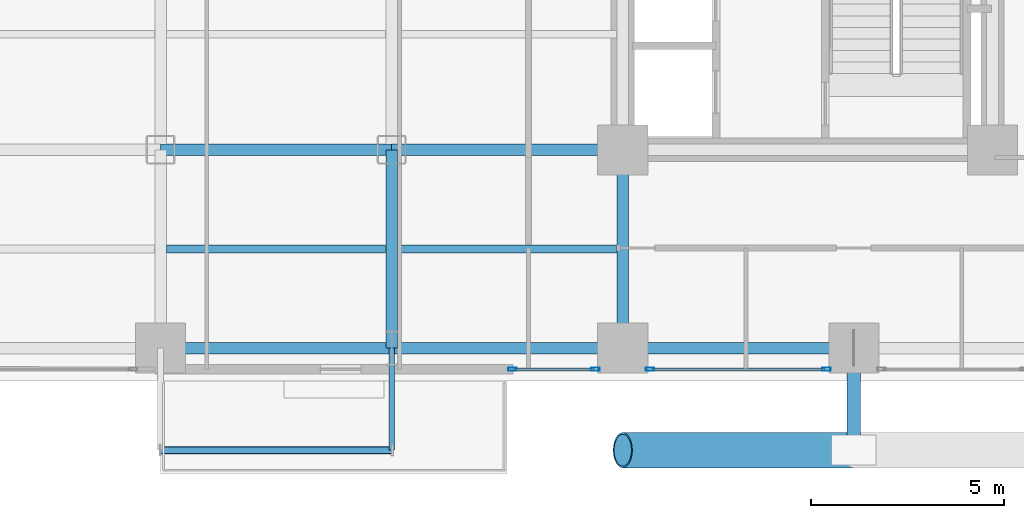
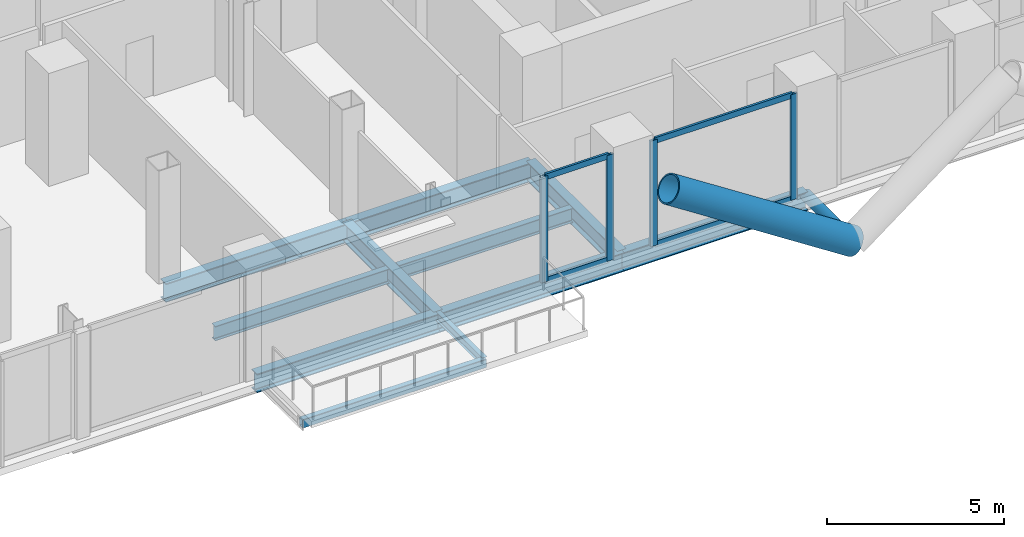
# One storey, part 3 of 25: 11 beams, 10 members, 2 elements without a shape of their own.
"""IFC4 building model written with IfcOpenShell, lengths in metres."""

import ifcopenshell
import ifcopenshell.guid

model = None  # the IFC model being written
_history = None  # IfcOwnerHistory: only IFC2X3 demands one
_inside = {}  # id of a spatial element -> (the spatial element, [elements in it])
_under = {}  # id of a project, library or spatial element -> (it, [spatial elements below it])
_declared = {}  # id of a project -> (the project, [libraries it declares])
_typed = {}  # id of a type object -> (the type object, [elements of that type])
_made_of = {}  # id of a material, layer set ... -> (it, [elements and type objects made of it])


def new_model(schema):
    """Start an empty IFC model of exactly this schema.

    Asked for "IFC4X3", IfcOpenShell would pick the latest addendum, in which some entities
    have other attributes; the version numbers below select the first issue.
    IFC2X3 requires an IfcOwnerHistory on every rooted entity: one is made here for all.
    """
    global model, _history
    if schema == "IFC4X3":
        model = ifcopenshell.file(schema_version=(4, 3, 0, 0))
    else:
        model = ifcopenshell.file(schema=schema)
    _inside.clear()
    _under.clear()
    _declared.clear()
    _typed.clear()
    _made_of.clear()
    _history = None
    if model.schema == "IFC2X3":
        org = make("IfcOrganization", Name="unknown")
        user = make(
            "IfcPersonAndOrganization",
            ThePerson=make("IfcPerson", FamilyName="unknown"),
            TheOrganization=org,
        )
        app = make(
            "IfcApplication",
            ApplicationDeveloper=org,
            Version="unknown",
            ApplicationFullName="unknown",
            ApplicationIdentifier="unknown",
        )
        _history = make(
            "IfcOwnerHistory",
            OwningUser=user,
            OwningApplication=app,
            ChangeAction="ADDED",
            CreationDate=0,
        )
    return model


def make(cls, **values):
    """One entity of the class cls with the attributes given. An attribute that is None is left unset."""
    return model.create_entity(
        cls, **{name: value for name, value in values.items() if value is not None}
    )


def rooted(cls, **values):
    """An entity with a GlobalId (a new one), such as an element, a storey or a relation."""
    return make(cls, GlobalId=ifcopenshell.guid.new(), OwnerHistory=_history, **values)


def si_unit(unit_type, name, prefix=None):
    """IfcSIUnit, for example si_unit("LENGTHUNIT", "METRE", prefix="MILLI")."""
    return make("IfcSIUnit", UnitType=unit_type, Prefix=prefix, Name=name)


def assignment(units):
    """IfcUnitAssignment: the units of a project."""
    return None if units is None else make("IfcUnitAssignment", Units=units)


def point(xyz):
    """IfcCartesianPoint."""
    return None if xyz is None else make("IfcCartesianPoint", Coordinates=xyz)


def direction(xyz):
    """IfcDirection."""
    return None if xyz is None else make("IfcDirection", DirectionRatios=xyz)


def frame(location, z_axis=None, x_axis=None):
    """IfcAxis2Placement3D, a coordinate frame: its origin and axes. An axis left out is left unset."""
    return make(
        "IfcAxis2Placement3D",
        Location=point(location),
        Axis=direction(z_axis),
        RefDirection=direction(x_axis),
    )


def frame_2d(location, x_axis=None):
    """IfcAxis2Placement2D, a coordinate frame in the plane: its origin and x axis."""
    return make(
        "IfcAxis2Placement2D", Location=point(location), RefDirection=direction(x_axis)
    )


def origin():
    """The frame at (0, 0, 0) with its axes left unset."""
    return frame((0.0, 0.0, 0.0))


def origin_2d():
    """The frame at (0, 0) in the plane with its x axis left unset."""
    return frame_2d((0.0, 0.0))


def place(relative_to, where):
    """IfcLocalPlacement: puts the frame where relative to a parent placement (None: the world)."""
    return make(
        "IfcLocalPlacement", PlacementRelTo=relative_to, RelativePlacement=where
    )


def context(
    kind, dimensions, precision=None, world=None, true_north=None, identifier=None
):
    """IfcGeometricRepresentationContext, for example the 3D "Model" context."""
    return make(
        "IfcGeometricRepresentationContext",
        ContextIdentifier=identifier,
        ContextType=kind,
        CoordinateSpaceDimension=dimensions,
        Precision=precision,
        WorldCoordinateSystem=world,
        TrueNorth=true_north,
    )


def subcontext(parent, identifier, kind, view, scale=None):
    """IfcGeometricRepresentationSubContext, for example "Body" below "Model"."""
    return make(
        "IfcGeometricRepresentationSubContext",
        ContextIdentifier=identifier,
        ContextType=kind,
        ParentContext=parent,
        TargetScale=scale,
        TargetView=view,
    )


def project(units=None, contexts=None):
    """IfcProject with its units and contexts."""
    return rooted(
        "IfcProject",
        Name="project",
        RepresentationContexts=contexts,
        UnitsInContext=assignment(units),
    )


def spatial(cls, under=None, at=None, **own):
    """A site, building, storey or space (cls), placed at a placement, below another one or the project."""
    s = rooted(cls, ObjectPlacement=at, **own)
    if under is not None:
        _under.setdefault(under.id(), (under, []))[1].append(s)
    return s


def profile(cls, at=None, kind="AREA", **sizes):
    """A parametric profile (cls). Its sizes go by their IFC names, for example OverallWidth=200.0."""
    return make(cls, ProfileType=kind, Position=at, **sizes)


def hollow_rectangle(**sizes):
    """IfcRectangleHollowProfileDef."""
    return profile("IfcRectangleHollowProfileDef", **sizes)


def hollow_circle(**sizes):
    """IfcCircleHollowProfileDef."""
    return profile("IfcCircleHollowProfileDef", **sizes)


def i_section(**sizes):
    """IfcIShapeProfileDef."""
    return profile("IfcIShapeProfileDef", **sizes)


def extrude(swept, where, along, depth):
    """IfcExtrudedAreaSolid: the profile swept, set in the frame where, extruded along a direction by depth."""
    return make(
        "IfcExtrudedAreaSolid",
        SweptArea=swept,
        Position=where,
        ExtrudedDirection=direction(along),
        Depth=depth,
    )


def shape(context_of_items, identifier, shape_type, items):
    """IfcShapeRepresentation: the items that make up one representation, for example the "Body"."""
    return make(
        "IfcShapeRepresentation",
        ContextOfItems=context_of_items,
        RepresentationIdentifier=identifier,
        RepresentationType=shape_type,
        Items=items,
    )


def material(Name=None, Category=None):
    """IfcMaterial."""
    return make("IfcMaterial", Name=Name, Category=Category)


def layer(
    of_material, thickness, ventilated=None, Name=None, Category=None, Priority=None
):
    """IfcMaterialLayer: one layer of a wall or slab, of a material (None: an air gap)."""
    return make(
        "IfcMaterialLayer",
        Material=of_material,
        LayerThickness=thickness,
        IsVentilated=ventilated,
        Name=Name,
        Category=Category,
        Priority=Priority,
    )


def layer_set(layers, Name=None):
    """IfcMaterialLayerSet."""
    return make("IfcMaterialLayerSet", MaterialLayers=layers, LayerSetName=Name)


def material_profile(
    of_material, cross_section, Name=None, Category=None, Priority=None
):
    """IfcMaterialProfile: a cross section and its material."""
    return make(
        "IfcMaterialProfile",
        Name=Name,
        Material=of_material,
        Profile=cross_section,
        Priority=Priority,
        Category=Category,
    )


def profile_set(profiles, Name=None, composite=None):
    """IfcMaterialProfileSet."""
    return make(
        "IfcMaterialProfileSet",
        Name=Name,
        MaterialProfiles=profiles,
        CompositeProfile=composite,
    )


def made_of(thing, what):
    """Note that an element or type object is made of a material, layer set ...; save() writes the relation."""
    if what is not None:
        _made_of.setdefault(what.id(), (what, []))[1].append(thing)
    return thing


def type_object(cls, material=None, **own):
    """A type object (cls), such as IfcWallType, which elements share."""
    return made_of(rooted(cls, **own), material)


def element(
    cls,
    number,
    at=None,
    inside=None,
    cuts=None,
    type_object=None,
    material=None,
    context=None,
    identifier="Body",
    shape_type=None,
    held_by="IfcProductDefinitionShape",
    body=None,
    shapes=None,
    **own,
):
    """One element of the class cls, such as IfcWall. Its Tag is "e" and its number.

    at: its placement. inside: the storey or other place that contains it. cuts: it is an
    opening in that element (IfcRelVoidsElement). A single representation is given by context,
    identifier, shape_type and body (its items); several are given by shapes. held_by: the class
    of the entity that holds the representations. save() writes the other relations.
    """
    e = rooted(cls, Tag="e%d" % number, ObjectPlacement=at, **own)
    if body is not None:
        shapes = [shape(context, identifier, shape_type, body)]
    if shapes is not None:
        e.Representation = make(held_by, Representations=shapes)
    if inside is not None:
        _inside.setdefault(inside.id(), (inside, []))[1].append(e)
    if cuts is not None:
        rooted(
            "IfcRelVoidsElement", RelatingBuildingElement=cuts, RelatedOpeningElement=e
        )
    if type_object is not None:
        _typed.setdefault(type_object.id(), (type_object, []))[1].append(e)
    return made_of(e, material)


def aggregate(whole, parts):
    """IfcRelAggregates: a whole, such as a stair, and the parts it consists of."""
    return rooted("IfcRelAggregates", RelatingObject=whole, RelatedObjects=parts)


def save(model, path):
    """Write the relations noted so far, then the file.

    IfcRelAggregates (storeys below a building ...), IfcRelContainedInSpatialStructure (elements
    in a storey), IfcRelDefinesByType, IfcRelAssociatesMaterial and IfcRelDeclares: one each for
    every whole, place, type object, material and project.
    """
    for whole, parts in _under.values():
        aggregate(whole, parts)
    for where, things in _inside.values():
        rooted(
            "IfcRelContainedInSpatialStructure",
            RelatedElements=things,
            RelatingStructure=where,
        )
    for kind, things in _typed.values():
        rooted("IfcRelDefinesByType", RelatedObjects=things, RelatingType=kind)
    for what, things in _made_of.values():
        rooted("IfcRelAssociatesMaterial", RelatedObjects=things, RelatingMaterial=what)
    for by, libraries in _declared.values():
        rooted("IfcRelDeclares", RelatingContext=by, RelatedDefinitions=libraries)
    model.write(path)


model = new_model("IFC4")

# Units and contexts
model_context = context("Model", 3, precision=1e-05, world=origin(), true_north=direction((0.0, 1.0)))
body_context = subcontext(model_context, "Body", "Model", "MODEL_VIEW")
ifc_project = project(units=[si_unit("LENGTHUNIT", "METRE"), si_unit("AREAUNIT", "SQUARE_METRE"), si_unit("VOLUMEUNIT", "CUBIC_METRE"), si_unit("PLANEANGLEUNIT", "RADIAN"), si_unit("MASSUNIT", "GRAM", prefix="KILO"), si_unit("THERMODYNAMICTEMPERATUREUNIT", "KELVIN"), si_unit("POWERUNIT", "WATT")], contexts=[model_context])

# Site, building, storey
site_placement = place(None, origin())
site = spatial("IfcSite", under=ifc_project, at=site_placement, CompositionType="ELEMENT")
building_placement = place(site_placement, origin())
building = spatial("IfcBuilding", under=site, at=building_placement, Name="Svarakhadi Broadcast Tower", CompositionType="ELEMENT")
storey_placement = place(building_placement, frame((0.0, 0.0, 32.39990234375)))
storey = spatial("IfcBuildingStorey", under=building, at=storey_placement, Name="L06", CompositionType="ELEMENT", Elevation=32.39990234375)

# Beams
ifc_material_1 = material(Name="Steel S355J2 (IS 2062 E350C)", Category="steel")
ifc_material_profile_1 = material_profile(ifc_material_1, i_section(OverallWidth=0.199951171875, OverallDepth=0.5, WebThickness=0.01025390625, FlangeThickness=0.01611328125, FilletRadius=0.02099609375, at=origin_2d()), Name="NPB 500x200x91")
ifc_profile_set_1 = profile_set([ifc_material_profile_1], Name="Steel S355J2 (IS 2062 E350C)")
beam_type_1 = type_object("IfcBeamType", Name="Beam_NPB500", PredefinedType="BEAM", material=ifc_profile_set_1)
for number, where, z_axis, x_axis, name in (
    (1, (12.159912109375, 3.425048828125, -0.5), (1.0, 0.0, 0.0), (0.0, 1.0, 0.0), "L06 Secondary Composite Beam SB013"),
    (2, (18.159912109375, 3.425048828125, -0.5), (1.0, 0.0, 0.0), (0.0, 1.0, 0.0), "L06 Secondary Composite Beam SB019"),
):
    element("IfcBeam", number, at=place(storey_placement, frame(where, z_axis=z_axis, x_axis=x_axis)), inside=storey, type_object=beam_type_1, Name=name, PredefinedType="BEAM", context=body_context, shape_type="SweptSolid", body=[
        extrude(i_section(OverallWidth=0.199951171875, OverallDepth=0.5, WebThickness=0.01025390625, FlangeThickness=0.01611328125, FilletRadius=0.02099609375, at=origin_2d()), origin(), (0.0, 0.0, 1.0), 5.68017578125),
    ])

# Curtain wall, members
ifc_material_2 = material(Name="Anodised Bronze Aluminium AA 6063-T6", Category="aluminium")
ifc_layer = layer(ifc_material_2, 0.219970703125)
ifc_layer_set = layer_set([ifc_layer], Name="Anodised Bronze Aluminium AA 6063-T6")
curtain_wall_type = type_object("IfcCurtainWallType", Name="CW_Sys_02", PredefinedType="NOTDEFINED", material=ifc_layer_set)
curtain_wall_1_placement = place(storey_placement, origin())
curtain_wall_1 = element("IfcCurtainWall", 3, at=curtain_wall_1_placement, inside=storey, type_object=curtain_wall_type, Name="L06 South Curtain Wall 16 Bay 5", PredefinedType="NOTDEFINED")
ifc_material_profile_2 = material_profile(ifc_material_2, hollow_rectangle(XDim=0.0849609375, YDim=0.219970703125, WallThickness=0.006103515625, at=origin_2d()), Name="ALU MULLION 220x85x6")
ifc_profile_set_2 = profile_set([ifc_material_profile_2], Name="Anodised Bronze Aluminium AA 6063-T6")
member_type_1 = type_object("IfcMemberType", Name="CW_Sys_02_Mul", PredefinedType="MULLION", material=ifc_profile_set_2)
member_1_placement = place(storey_placement, frame((29.28759765625, 0.300048828125, 0.0), z_axis=(0.0, 0.0, 1.0), x_axis=(0.0, -1.0, 0.0)))
member_1 = element("IfcMember", 4, at=member_1_placement, type_object=member_type_1, Name="CW-02 mullion 1", PredefinedType="MULLION", context=body_context, shape_type="SweptSolid", body=[
    extrude(hollow_rectangle(XDim=0.0849609375, YDim=0.219970703125, WallThickness=0.006103515625, at=origin_2d()), origin(), (0.0, 0.0, 1.0), 3.650146484375),
])
member_2_placement = place(storey_placement, frame((24.71240234375, 0.300048828125, 0.0), z_axis=(0.0, 0.0, 1.0), x_axis=(0.0, -1.0, 0.0)))
member_2 = element("IfcMember", 5, at=member_2_placement, type_object=member_type_1, Name="CW-02 mullion 2", PredefinedType="MULLION", context=body_context, shape_type="SweptSolid", body=[
    extrude(hollow_rectangle(XDim=0.0849609375, YDim=0.219970703125, WallThickness=0.006103515625, at=origin_2d()), origin(), (0.0, 0.0, 1.0), 3.650146484375),
])

curtain_wall_2_placement = place(storey_placement, origin())
curtain_wall_2 = element("IfcCurtainWall", 6, at=curtain_wall_2_placement, inside=storey, type_object=curtain_wall_type, Name="L06 South Curtain Wall 16 Bay 6", PredefinedType="NOTDEFINED")
member_3_placement = place(storey_placement, frame((23.28759765625, 0.300048828125, 0.0), z_axis=(0.0, 0.0, 1.0), x_axis=(0.0, -1.0, 0.0)))
member_3 = element("IfcMember", 7, at=member_3_placement, type_object=member_type_1, Name="CW-02 mullion 1", PredefinedType="MULLION", context=body_context, shape_type="SweptSolid", body=[
    extrude(hollow_rectangle(XDim=0.0849609375, YDim=0.219970703125, WallThickness=0.006103515625, at=origin_2d()), origin(), (0.0, 0.0, 1.0), 3.650146484375),
])
member_4_placement = place(storey_placement, frame((21.132568359375, 0.300048828125, 0.0), z_axis=(0.0, 0.0, 1.0), x_axis=(0.0, -1.0, 0.0)))
member_4 = element("IfcMember", 8, at=member_4_placement, type_object=member_type_1, Name="CW-02 mullion 2", PredefinedType="MULLION", context=body_context, shape_type="SweptSolid", body=[
    extrude(hollow_rectangle(XDim=0.0849609375, YDim=0.219970703125, WallThickness=0.006103515625, at=origin_2d()), origin(), (0.0, 0.0, 1.0), 3.650146484375),
])

# Member
ifc_material_profile_3 = material_profile(ifc_material_2, hollow_rectangle(XDim=0.074951171875, YDim=0.199951171875, WallThickness=0.0048828125, at=origin_2d()), Name="ALU TRANSOM 200x75x5")
ifc_profile_set_3 = profile_set([ifc_material_profile_3], Name="Anodised Bronze Aluminium AA 6063-T6")
member_type_2 = type_object("IfcMemberType", Name="CW_Sys_02_Trn", PredefinedType="USERDEFINED", material=ifc_profile_set_3)
member_5_placement = place(storey_placement, frame((29.2451171875, 0.300048828125, 0.03759765625), z_axis=(-1.0, 0.0, 0.0), x_axis=(0.0, -1.0, 0.0)))
member_5 = element("IfcMember", 9, at=member_5_placement, type_object=member_type_2, Name="CW-02 transom 1.1", ObjectType="TRANSOM", PredefinedType="USERDEFINED", context=body_context, shape_type="SweptSolid", body=[
    extrude(hollow_rectangle(XDim=0.074951171875, YDim=0.199951171875, WallThickness=0.0048828125, at=origin_2d()), origin(), (0.0, 0.0, 1.0), 4.490234375),
])

member_6_placement = place(storey_placement, frame((29.2451171875, 0.300048828125, 3.612548828125), z_axis=(-1.0, 0.0, 0.0), x_axis=(0.0, -1.0, 0.0)))
member_6 = element("IfcMember", 10, at=member_6_placement, type_object=member_type_2, Name="CW-02 transom 1.2", ObjectType="TRANSOM", PredefinedType="USERDEFINED", context=body_context, shape_type="SweptSolid", body=[
    extrude(hollow_rectangle(XDim=0.074951171875, YDim=0.199951171875, WallThickness=0.0048828125, at=origin_2d()), origin(), (0.0, 0.0, 1.0), 4.490234375),
])

aggregate(curtain_wall_1, [member_1, member_2, member_5, member_6])

member_7_placement = place(storey_placement, frame((23.2451171875, 0.300048828125, 0.03759765625), z_axis=(-1.0, 0.0, 0.0), x_axis=(0.0, -1.0, 0.0)))
member_7 = element("IfcMember", 11, at=member_7_placement, type_object=member_type_2, Name="CW-02 transom 1.1", ObjectType="TRANSOM", PredefinedType="USERDEFINED", context=body_context, shape_type="SweptSolid", body=[
    extrude(hollow_rectangle(XDim=0.074951171875, YDim=0.199951171875, WallThickness=0.0048828125, at=origin_2d()), origin(), (0.0, 0.0, 1.0), 2.070068359375),
])

member_8_placement = place(storey_placement, frame((23.2451171875, 0.300048828125, 3.612548828125), z_axis=(-1.0, 0.0, 0.0), x_axis=(0.0, -1.0, 0.0)))
member_8 = element("IfcMember", 12, at=member_8_placement, type_object=member_type_2, Name="CW-02 transom 1.2", ObjectType="TRANSOM", PredefinedType="USERDEFINED", context=body_context, shape_type="SweptSolid", body=[
    extrude(hollow_rectangle(XDim=0.074951171875, YDim=0.199951171875, WallThickness=0.0048828125, at=origin_2d()), origin(), (0.0, 0.0, 1.0), 2.070068359375),
])

aggregate(curtain_wall_2, [member_3, member_4, member_7, member_8])

# Members
ifc_material_3 = material(Name="Steel S460ML (IS 2062 E450BR)", Category="steel")
ifc_material_profile_4 = material_profile(ifc_material_3, hollow_circle(Radius=0.45703125, WallThickness=0.044921875, at=origin_2d()), Name="CHS 914x45")
ifc_profile_set_4 = profile_set([ifc_material_profile_4], Name="Steel S460ML (IS 2062 E450BR)")
member_type_3 = type_object("IfcMemberType", Name="Exo_Brace_CHS914", PredefinedType="BRACE", material=ifc_profile_set_4)
member_9_placement = place(storey_placement, frame((30.0, -1.800048828125, -0.427734375), z_axis=(-0.838434262763, 0.0, 0.545002740383), x_axis=(0.0, -1.0, 0.0)))
element("IfcMember", 13, at=member_9_placement, inside=storey, type_object=member_type_3, Name="L06 Exposed Bronze Exoskeleton Diagonal S01", PredefinedType="BRACE", context=body_context, shape_type="SweptSolid", body=[
    extrude(hollow_circle(Radius=0.45703125, WallThickness=0.044921875, at=origin_2d()), origin(), (0.0, 0.0, 1.0), 7.15625),
])
ifc_material_profile_5 = material_profile(ifc_material_3, hollow_circle(Radius=0.177734375, WallThickness=0.02001953125, at=origin_2d()), Name="CHS 355.6x20")
ifc_profile_set_5 = profile_set([ifc_material_profile_5], Name="Steel S460ML (IS 2062 E450BR)")
member_type_4 = type_object("IfcMemberType", Name="Exo_Radial_Strut_Z1", PredefinedType="STRUT", material=ifc_profile_set_5)
member_10_placement = place(storey_placement, frame((30.0, -1.800048828125, -0.427734375), z_axis=(0.0, 1.0, 0.0), x_axis=(-1.0, 0.0, 0.0)))
element("IfcMember", 14, at=member_10_placement, inside=storey, type_object=member_type_4, Name="L06 Exoskeleton Radial Tie Strut S01", PredefinedType="STRUT", context=body_context, shape_type="SweptSolid", body=[
    extrude(hollow_circle(Radius=0.177734375, WallThickness=0.02001953125, at=origin_2d()), origin(), (0.0, 0.0, 1.0), 2.650146484375),
])

# Beams
ifc_material_profile_6 = material_profile(ifc_material_1, i_section(OverallWidth=0.300048828125, OverallDepth=0.64990234375, WebThickness=0.01611328125, FlangeThickness=0.031005859375, FilletRadius=0.027099609375, at=origin_2d()), Name="WPB 650x300x225")
ifc_profile_set_6 = profile_set([ifc_material_profile_6], Name="Steel S355J2 (IS 2062 E350C)")
beam_type_2 = type_object("IfcBeamType", Name="Girder_WPB650", PredefinedType="USERDEFINED", material=ifc_profile_set_6)
for number, where, z_axis, x_axis, name in (
    (15, (12.0, 0.85009765625, -0.574951171875), (1.0, 0.0, 0.0), (0.0, 1.0, 0.0), "L06 Primary E-W Girder G005"),
    (16, (18.0, 0.85009765625, -0.574951171875), (1.0, 0.0, 0.0), (0.0, 1.0, 0.0), "L06 Primary E-W Girder G006"),
    (17, (24.0, 0.85009765625, -0.574951171875), (1.0, 0.0, 0.0), (0.0, 1.0, 0.0), "L06 Primary E-W Girder G007"),
    (18, (12.0, 6.0, -0.574951171875), (1.0, 0.0, 0.0), (0.0, 1.0, 0.0), "L06 Primary E-W Girder G013"),
    (19, (18.0, 6.0, -0.574951171875), (1.0, 0.0, 0.0), (0.0, 1.0, 0.0), "L06 Primary E-W Girder G014"),
):
    element("IfcBeam", number, at=place(storey_placement, frame(where, z_axis=z_axis, x_axis=x_axis)), inside=storey, type_object=beam_type_2, Name=name, ObjectType="GIRDER", PredefinedType="USERDEFINED", context=body_context, shape_type="SweptSolid", body=[
        extrude(i_section(OverallWidth=0.300048828125, OverallDepth=0.64990234375, WebThickness=0.01611328125, FlangeThickness=0.031005859375, FilletRadius=0.027099609375, at=origin_2d()), origin(), (0.0, 0.0, 1.0), 6.0),
    ])
for number, where, z_axis, x_axis, name in (
    (20, (18.0, 0.85009765625, -0.574951171875), (0.0, 1.0, 0.0), (-1.0, 0.0, 0.0), "L06 Primary N-S Girder G064"),
    (21, (24.0, 0.85009765625, -0.574951171875), (0.0, 1.0, 0.0), (-1.0, 0.0, 0.0), "L06 Primary N-S Girder G071"),
):
    element("IfcBeam", number, at=place(storey_placement, frame(where, z_axis=z_axis, x_axis=x_axis)), inside=storey, type_object=beam_type_2, Name=name, ObjectType="GIRDER", PredefinedType="USERDEFINED", context=body_context, shape_type="SweptSolid", body=[
        extrude(i_section(OverallWidth=0.300048828125, OverallDepth=0.64990234375, WebThickness=0.01611328125, FlangeThickness=0.031005859375, FilletRadius=0.027099609375, at=origin_2d()), origin(), (0.0, 0.0, 1.0), 5.14990234375),
    ])
ifc_material_profile_7 = material_profile(ifc_material_1, i_section(OverallWidth=0.14990234375, OverallDepth=0.300048828125, WebThickness=0.007080078125, FlangeThickness=0.0107421875, FilletRadius=0.014892578125, at=origin_2d()), Name="NPB 300x150x37")
ifc_profile_set_7 = profile_set([ifc_material_profile_7], Name="Steel S355J2 (IS 2062 E350C)")
beam_type_3 = type_object("IfcBeamType", Name="Spandrel_NPB300", PredefinedType="SPANDREL", material=ifc_profile_set_7)
beam_1_placement = place(storey_placement, frame((18.0, 0.85009765625, -0.39990234375), z_axis=(0.0, -1.0, 0.0), x_axis=(1.0, 0.0, 0.0)))
element("IfcBeam", 22, at=beam_1_placement, inside=storey, type_object=beam_type_3, Name="L06 Balcony Cantilever Bracket 1B", PredefinedType="SPANDREL", context=body_context, shape_type="SweptSolid", body=[
    extrude(i_section(OverallWidth=0.14990234375, OverallDepth=0.300048828125, WebThickness=0.007080078125, FlangeThickness=0.0107421875, FilletRadius=0.014892578125, at=origin_2d()), origin(), (0.0, 0.0, 1.0), 2.650146484375),
])
ifc_material_profile_8 = material_profile(ifc_material_3, hollow_rectangle(XDim=0.199951171875, YDim=0.300048828125, WallThickness=0.012451171875, InnerFilletRadius=0.012451171875, OuterFilletRadius=0.02490234375, at=origin_2d()), Name="RHS 300x200x12.5")
ifc_profile_set_8 = profile_set([ifc_material_profile_8], Name="Steel S460ML (IS 2062 E450BR)")
beam_type_4 = type_object("IfcBeamType", Name="Spandrel_RHS300", PredefinedType="SPANDREL", material=ifc_profile_set_8)
beam_2_placement = place(storey_placement, frame((12.0, -1.800048828125, -0.39990234375), z_axis=(1.0, 0.0, 0.0), x_axis=(0.0, 1.0, 0.0)))
element("IfcBeam", 23, at=beam_2_placement, inside=storey, type_object=beam_type_4, Name="L06 Balcony Outer Spandrel 1F", PredefinedType="SPANDREL", context=body_context, shape_type="SweptSolid", body=[
    extrude(hollow_rectangle(XDim=0.199951171875, YDim=0.300048828125, WallThickness=0.012451171875, InnerFilletRadius=0.012451171875, OuterFilletRadius=0.02490234375, at=origin_2d()), origin(), (0.0, 0.0, 1.0), 6.0),
])

save(model, "model.ifc")
